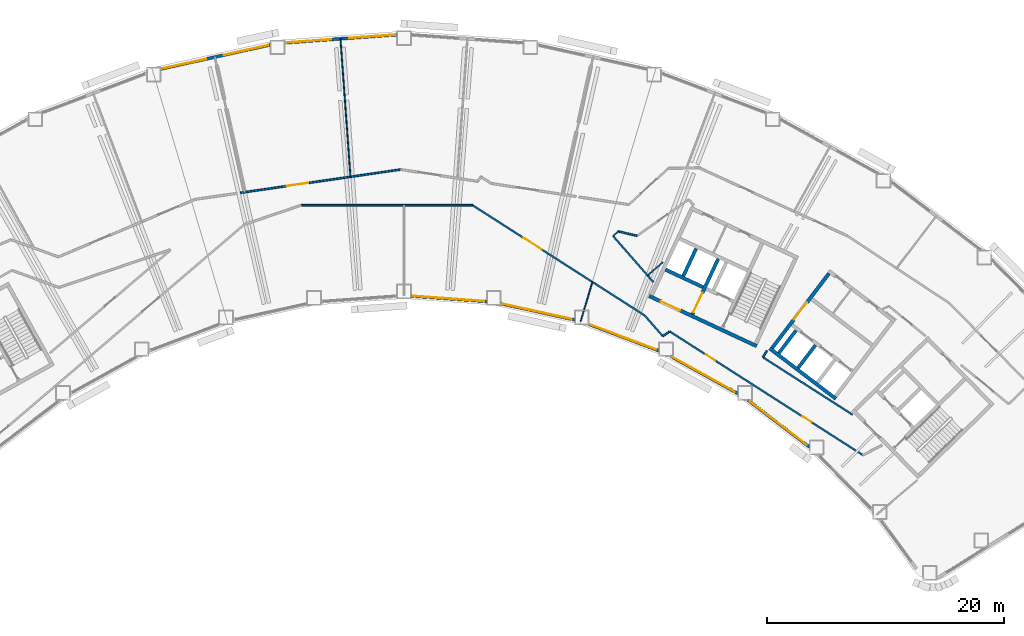
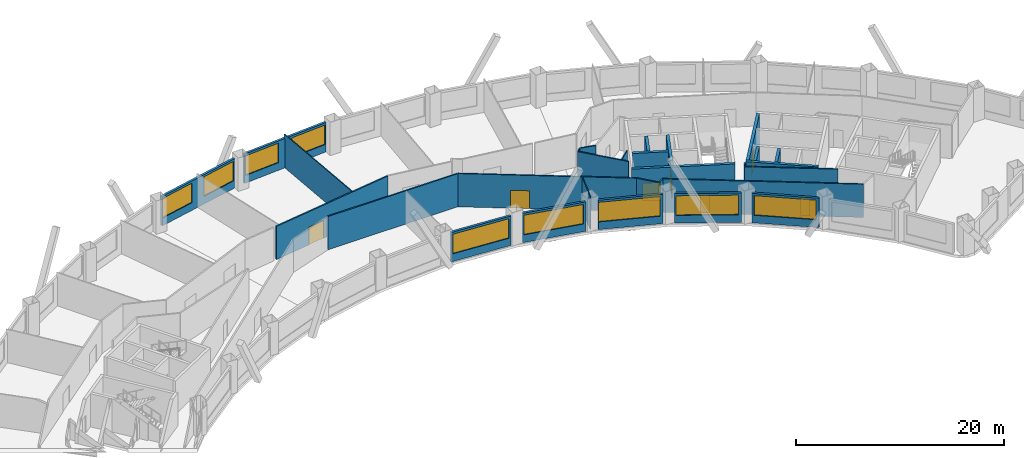
# One storey, part 5 of 11: 29 walls, 9 windows, 7 doors, 16 openings.
"""IFC4 building model written with IfcOpenShell, lengths in metres."""

from ifc_helpers import new_model, si_unit, direction, frame, frame_2d, origin, place, context, subcontext, project, spatial, rectangle, extrude, material, layer, layer_set, type_object, element, fill, save


model = new_model("IFC4")

# Units and contexts
model_context = context("Model", 3, precision=1e-05, world=origin(), true_north=direction((0.0, 1.0)))
body_context = subcontext(model_context, "Body", "Model", "MODEL_VIEW")
ifc_project = project(units=[si_unit("LENGTHUNIT", "METRE"), si_unit("AREAUNIT", "SQUARE_METRE"), si_unit("VOLUMEUNIT", "CUBIC_METRE"), si_unit("PLANEANGLEUNIT", "RADIAN"), si_unit("MASSUNIT", "GRAM", prefix="KILO")], contexts=[model_context])

# Site, building, storey
site_placement = place(None, origin())
site = spatial("IfcSite", under=ifc_project, at=site_placement, CompositionType="ELEMENT")
building_placement = place(site_placement, origin())
building = spatial("IfcBuilding", under=site, at=building_placement, Name="Tuul Gate Civic Tower", CompositionType="ELEMENT")
storey_placement = place(building_placement, frame((0.0, 0.0, 65.39990234375)))
storey = spatial("IfcBuildingStorey", under=building, at=storey_placement, Name="Level 14", CompositionType="ELEMENT", Elevation=65.39990234375)

# Wall, opening, door
ifc_material_1 = material(Name="Concrete C50/60", Category="concrete")
ifc_layer_1 = layer(ifc_material_1, 0.300048828125)
ifc_layer_set_1 = layer_set([ifc_layer_1], Name="Concrete C50/60")
wall_type_1 = type_object("IfcWallType", Name="Core wall C50/60", PredefinedType="SHEAR", material=ifc_layer_set_1)
wall_1_placement = place(storey_placement, frame((34.5283203125, -7.25, 0.0), z_axis=(0.0, 0.0, 1.0), x_axis=(-0.906310338845, 0.422612789327, 0.0)))
wall_1 = element("IfcWall", 1, at=wall_1_placement, inside=storey, type_object=wall_type_1, Name="Core wall", PredefinedType="SHEAR", context=body_context, shape_type="SweptSolid", body=[
    extrude(rectangle(XDim=9.999755859375, YDim=0.300048828125, at=frame_2d((5.0, 0.0))), origin(), (0.0, 0.0, 1.0), 3.900146484375),
])
opening_1_placement = place(wall_1_placement, frame((7.125, 0.0, 0.0)))
opening_1 = element("IfcOpeningElement", 2, at=opening_1_placement, cuts=wall_1, Name="Opening LB-E3-LOBBY-1", PredefinedType="OPENING", context=body_context, shape_type="SweptSolid", body=[
    extrude(rectangle(XDim=1.800048828125, YDim=2.10009765625, at=frame_2d((0.89990234375, 1.050048828125))), frame((0.0, 0.16015625, 0.0), z_axis=(0.0, -1.0, 0.0), x_axis=(1.0, 0.0, 0.0)), (0.0, 0.0, 1.0), 0.320068359375),
])
ifc_material_2 = material(Name="Steel", Category="steel")
door_type_1 = type_object("IfcDoorType", Name="Lobby door", OperationType="DOUBLE_DOOR_SINGLE_SWING", PredefinedType="DOOR", material=ifc_material_2)
door_1_placement = place(opening_1_placement, origin())
door_1 = element("IfcDoor", 3, at=door_1_placement, inside=storey, type_object=door_type_1, Name="Lobby door E3-LOBBY", OperationType="DOUBLE_DOOR_SINGLE_SWING", OverallHeight=2.10009765625, OverallWidth=1.800048828125, PredefinedType="DOOR", context=body_context, shape_type="SweptSolid", body=[
    extrude(rectangle(XDim=1.800048828125, YDim=2.10009765625, at=frame_2d((0.89990234375, 1.050048828125))), frame((0.0, 0.02490234375, 0.0), z_axis=(0.0, -1.0, 0.0), x_axis=(1.0, 0.0, 0.0)), (0.0, 0.0, 1.0), 0.050048828125),
])
fill(opening_1, door_1)

# Wall
wall_2_placement = place(storey_placement, frame((30.0078125, -2.2734375, 0.0), z_axis=(0.0, 0.0, 1.0), x_axis=(-0.90630071767, 0.422633421716, 0.0)))
element("IfcWall", 4, at=wall_2_placement, inside=storey, type_object=wall_type_1, Name="Core wall", PredefinedType="SHEAR", context=body_context, shape_type="SweptSolid", body=[
    extrude(rectangle(XDim=3.5, YDim=0.300048828125, at=frame_2d((1.75, 0.0))), origin(), (0.0, 0.0, 1.0), 3.900146484375),
])

# Wall, opening, door
wall_3_placement = place(storey_placement, frame((29.108642578125, -4.557373046875, 0.0), z_axis=(0.0, 0.0, 1.0), x_axis=(0.422566235356, 0.90633204552, 0.0)))
wall_3 = element("IfcWall", 5, at=wall_3_placement, inside=storey, type_object=wall_type_1, Name="Core wall", PredefinedType="SHEAR", context=body_context, shape_type="SweptSolid", body=[
    extrude(rectangle(XDim=5.150146484375, YDim=0.300048828125, at=frame_2d((2.5751953125, 0.0))), origin(), (0.0, 0.0, 1.0), 3.900146484375),
])
opening_2_placement = place(wall_3_placement, frame((0.175048828125, 0.0, 0.0)))
opening_2 = element("IfcOpeningElement", 6, at=opening_2_placement, cuts=wall_3, Name="Opening LB-E3-FLOBBY-1", PredefinedType="OPENING", context=body_context, shape_type="SweptSolid", body=[
    extrude(rectangle(XDim=1.800048828125, YDim=2.10009765625, at=frame_2d((0.89990234375, 1.050048828125))), frame((0.0, 0.16015625, 0.0), z_axis=(0.0, -1.0, 0.0), x_axis=(1.0, 0.0, 0.0)), (0.0, 0.0, 1.0), 0.320068359375),
])
door_2_placement = place(opening_2_placement, frame((1.800048828125, 0.0, 0.0), z_axis=(0.0, 0.0, 1.0), x_axis=(-1.0, 0.0, 0.0)))
door_2 = element("IfcDoor", 7, at=door_2_placement, inside=storey, type_object=door_type_1, Name="Lobby door E3-FLOBBY", OperationType="DOUBLE_DOOR_SINGLE_SWING", OverallHeight=2.10009765625, OverallWidth=1.800048828125, PredefinedType="DOOR", context=body_context, shape_type="SweptSolid", body=[
    extrude(rectangle(XDim=1.800048828125, YDim=2.10009765625, at=frame_2d((0.900146484375, 1.050048828125))), frame((0.0, 0.02490234375, 0.0), z_axis=(0.0, -1.0, 0.0), x_axis=(1.0, 0.0, 0.0)), (0.0, 0.0, 1.0), 0.050048828125),
])
fill(opening_2, door_2)

# Walls
wall_4_placement = place(storey_placement, frame((28.349365234375, -1.33447265625, 0.0), z_axis=(0.0, 0.0, 1.0), x_axis=(0.422612891016, 0.906310291427, 0.0)))
element("IfcWall", 8, at=wall_4_placement, inside=storey, type_object=wall_type_1, Name="Core wall", PredefinedType="SHEAR", context=body_context, shape_type="SweptSolid", body=[
    extrude(rectangle(XDim=2.550048828125, YDim=0.300048828125, at=frame_2d((1.27490234375, 0.0))), origin(), (0.0, 0.0, 1.0), 3.900146484375),
])
ifc_material_3 = material(Name="Gypsum board partition")
ifc_layer_2 = layer(ifc_material_3, 0.14990234375)
ifc_layer_set_2 = layer_set([ifc_layer_2], Name="Gypsum board partition")
wall_type_2 = type_object("IfcWallType", Name="Corridor wall P150", PredefinedType="PARTITIONING", material=ifc_layer_set_2)
wall_5_placement = place(storey_placement, frame((22.4287109375, 2.0283203125, 0.0), z_axis=(0.0, 0.0, 1.0), x_axis=(0.658047321648, -0.752976574982, 0.0)))
element("IfcWall", 9, at=wall_5_placement, inside=storey, type_object=wall_type_2, Name="p018", PredefinedType="PARTITIONING", context=body_context, shape_type="SweptSolid", body=[
    extrude(rectangle(XDim=5.1796875, YDim=0.14990234375, at=frame_2d((2.58984375, 0.0))), origin(), (0.0, 0.0, 1.0), 3.900146484375),
])
wall_6_placement = place(storey_placement, frame((35.044677734375, -8.18408203125, 0.0), z_axis=(0.0, 0.0, 1.0), x_axis=(0.842201765937, -0.539162485206, 0.0)))
element("IfcWall", 10, at=wall_6_placement, inside=storey, type_object=wall_type_2, Name="p021", PredefinedType="PARTITIONING", context=body_context, shape_type="SweptSolid", body=[
    extrude(rectangle(XDim=8.978759765625, YDim=0.14990234375, at=frame_2d((4.4892578125, 0.0))), origin(), (0.0, 0.0, 1.0), 3.900146484375),
])

# Wall, opening, door
wall_7_placement = place(storey_placement, frame((-8.962890625, 5.6708984375, 0.0), z_axis=(0.0, 0.0, 1.0), x_axis=(0.989601127231, 0.143838829883, 0.0)))
wall_7 = element("IfcWall", 11, at=wall_7_placement, inside=storey, type_object=wall_type_2, Name="p025", PredefinedType="PARTITIONING", context=body_context, shape_type="SweptSolid", body=[
    extrude(rectangle(XDim=13.641357421875, YDim=0.14990234375, at=frame_2d((6.82080078125, 0.0))), origin(), (0.0, 0.0, 1.0), 3.900146484375),
])
opening_3_placement = place(wall_7_placement, frame((3.95654296875, 0.0, 0.0)))
opening_3 = element("IfcOpeningElement", 12, at=opening_3_placement, cuts=wall_7, Name="Opening D-D07", PredefinedType="OPENING", context=body_context, shape_type="SweptSolid", body=[
    extrude(rectangle(XDim=1.800048828125, YDim=2.10009765625, at=frame_2d((0.89990234375, 1.050048828125))), frame((0.0, 0.0849609375, 0.0), z_axis=(0.0, -1.0, 0.0), x_axis=(1.0, 0.0, 0.0)), (0.0, 0.0, 1.0), 0.169921875),
])
ifc_material_4 = material(Name="Timber door leaf, double", Category="wood")
door_type_2 = type_object("IfcDoorType", Name="Door D18", OperationType="DOUBLE_DOOR_SINGLE_SWING", PredefinedType="DOOR", material=ifc_material_4)
door_3_placement = place(opening_3_placement, origin())
door_3 = element("IfcDoor", 13, at=door_3_placement, inside=storey, type_object=door_type_2, Name="Door D-D07", OperationType="DOUBLE_DOOR_SINGLE_SWING", OverallHeight=2.10009765625, OverallWidth=1.800048828125, PredefinedType="DOOR", context=body_context, shape_type="SweptSolid", body=[
    extrude(rectangle(XDim=1.800048828125, YDim=2.10009765625, at=frame_2d((0.89990234375, 1.050048828125))), frame((0.0, 0.02490234375, 0.0), z_axis=(0.0, -1.0, 0.0), x_axis=(1.0, 0.0, 0.0)), (0.0, 0.0, 1.0), 0.050048828125),
])
fill(opening_3, door_3)

wall_8_placement = place(storey_placement, frame((10.5986328125, 4.61572265625, 0.0), z_axis=(0.0, 0.0, 1.0), x_axis=(0.842209770604, -0.539149981266, 0.0)))
wall_8 = element("IfcWall", 14, at=wall_8_placement, inside=storey, type_object=wall_type_2, Name="p039", PredefinedType="PARTITIONING", context=body_context, shape_type="SweptSolid", body=[
    extrude(rectangle(XDim=17.196044921875, YDim=0.14990234375, at=frame_2d((8.59814453125, 0.0))), origin(), (0.0, 0.0, 1.0), 3.900146484375),
])
opening_4_placement = place(wall_8_placement, frame((5.08740234375, 0.0, 0.0)))
opening_4 = element("IfcOpeningElement", 15, at=opening_4_placement, cuts=wall_8, Name="Opening D-D15", PredefinedType="OPENING", context=body_context, shape_type="SweptSolid", body=[
    extrude(rectangle(XDim=1.800048828125, YDim=2.10009765625, at=frame_2d((0.89990234375, 1.050048828125))), frame((0.0, 0.0849609375, 0.0), z_axis=(0.0, -1.0, 0.0), x_axis=(1.0, 0.0, 0.0)), (0.0, 0.0, 1.0), 0.169921875),
])
door_4_placement = place(opening_4_placement, frame((1.800048828125, 0.0, 0.0), z_axis=(0.0, 0.0, 1.0), x_axis=(-1.0, 0.0, 0.0)))
door_4 = element("IfcDoor", 16, at=door_4_placement, inside=storey, type_object=door_type_2, Name="Door D-D15", OperationType="DOUBLE_DOOR_SINGLE_SWING", OverallHeight=2.10009765625, OverallWidth=1.800048828125, PredefinedType="DOOR", context=body_context, shape_type="SweptSolid", body=[
    extrude(rectangle(XDim=1.800048828125, YDim=2.10009765625, at=frame_2d((0.900146484375, 1.050048828125))), frame((0.0, 0.02490234375, 0.0), z_axis=(0.0, -1.0, 0.0), x_axis=(1.0, 0.0, 0.0)), (0.0, 0.0, 1.0), 0.050048828125),
])
fill(opening_4, door_4)

# Wall, openings, doors
wall_9_placement = place(storey_placement, frame((27.20166015625, -6.012939453125, 0.0), z_axis=(0.0, 0.0, 1.0), x_axis=(0.84221334931, -0.539144390905, 0.0)))
wall_9 = element("IfcWall", 17, at=wall_9_placement, inside=storey, type_object=wall_type_2, Name="p040", PredefinedType="PARTITIONING", context=body_context, shape_type="SweptSolid", body=[
    extrude(rectangle(XDim=19.325439453125, YDim=0.14990234375, at=frame_2d((9.66259765625, 0.0))), origin(), (0.0, 0.0, 1.0), 3.900146484375),
])
opening_5_placement = place(wall_9_placement, frame((13.281494140625, 0.0, 0.0)))
opening_5 = element("IfcOpeningElement", 18, at=opening_5_placement, cuts=wall_9, Name="Opening D-D13", PredefinedType="OPENING", context=body_context, shape_type="SweptSolid", body=[
    extrude(rectangle(XDim=0.89990234375, YDim=2.10009765625, at=frame_2d((0.449951171875, 1.050048828125))), frame((0.0, 0.0849609375, 0.0), z_axis=(0.0, -1.0, 0.0), x_axis=(1.0, 0.0, 0.0)), (0.0, 0.0, 1.0), 0.169921875),
])
opening_6_placement = place(wall_9_placement, frame((3.618896484375, 0.0, 0.0)))
opening_6 = element("IfcOpeningElement", 19, at=opening_6_placement, cuts=wall_9, Name="Opening D-D14", PredefinedType="OPENING", context=body_context, shape_type="SweptSolid", body=[
    extrude(rectangle(XDim=0.89990234375, YDim=2.10009765625, at=frame_2d((0.449951171875, 1.050048828125))), frame((0.0, 0.0849609375, 0.0), z_axis=(0.0, -1.0, 0.0), x_axis=(1.0, 0.0, 0.0)), (0.0, 0.0, 1.0), 0.169921875),
])
ifc_material_5 = material(Name="Timber door leaf", Category="wood")
door_type_3 = type_object("IfcDoorType", Name="Door D09", OperationType="NOTDEFINED", PredefinedType="DOOR", material=ifc_material_5)
door_5_placement = place(opening_5_placement, frame((0.89990234375, 0.0, 0.0), z_axis=(0.0, 0.0, 1.0), x_axis=(-1.0, 0.0, 0.0)))
door_5 = element("IfcDoor", 20, at=door_5_placement, inside=storey, type_object=door_type_3, Name="Door D-D13", OperationType="SINGLE_SWING_LEFT", OverallHeight=2.10009765625, OverallWidth=0.89990234375, PredefinedType="DOOR", context=body_context, shape_type="SweptSolid", body=[
    extrude(rectangle(XDim=0.89990234375, YDim=2.10009765625, at=frame_2d((0.449951171875, 1.050048828125))), frame((0.0, 0.02490234375, 0.0), z_axis=(0.0, -1.0, 0.0), x_axis=(1.0, 0.0, 0.0)), (0.0, 0.0, 1.0), 0.050048828125),
])
fill(opening_5, door_5)
door_6_placement = place(opening_6_placement, frame((0.89990234375, 0.0, 0.0), z_axis=(0.0, 0.0, 1.0), x_axis=(-1.0, 0.0, 0.0)))
door_6 = element("IfcDoor", 21, at=door_6_placement, inside=storey, type_object=door_type_3, Name="Door D-D14", OperationType="SINGLE_SWING_LEFT", OverallHeight=2.10009765625, OverallWidth=0.89990234375, PredefinedType="DOOR", context=body_context, shape_type="SweptSolid", body=[
    extrude(rectangle(XDim=0.89990234375, YDim=2.10009765625, at=frame_2d((0.449951171875, 1.050048828125))), frame((0.0, 0.02490234375, 0.0), z_axis=(0.0, -1.0, 0.0), x_axis=(1.0, 0.0, 0.0)), (0.0, 0.0, 1.0), 0.050048828125),
])
fill(opening_6, door_6)

# Walls
wall_10_placement = place(storey_placement, frame((25.085693359375, -4.6591796875, 0.0), z_axis=(0.0, 0.0, 1.0), x_axis=(0.658004838022, -0.753013700499, 0.0)))
element("IfcWall", 22, at=wall_10_placement, inside=storey, type_object=wall_type_2, Name="p043", PredefinedType="PARTITIONING", context=body_context, shape_type="SweptSolid", body=[
    extrude(rectangle(XDim=2.31787109375, YDim=0.14990234375, at=frame_2d((1.158935546875, 0.0))), origin(), (0.0, 0.0, 1.0), 3.900146484375),
])
wall_11_placement = place(storey_placement, frame((26.611572265625, -6.40478515625, 0.0), z_axis=(0.0, 0.0, 1.0), x_axis=(0.823349615955, 0.567534501071, 0.0)))
element("IfcWall", 23, at=wall_11_placement, inside=storey, type_object=wall_type_2, Name="p044", PredefinedType="PARTITIONING", context=body_context, shape_type="SweptSolid", body=[
    extrude(rectangle(XDim=0.68994140625, YDim=0.14990234375, at=frame_2d((0.344970703125, 0.0))), origin(), (0.0, 0.0, 1.0), 3.900146484375),
])
wall_12_placement = place(storey_placement, frame((-3.85595703125, 4.618896484375, 0.0), z_axis=(0.0, 0.0, 1.0), x_axis=(1.0, 0.0, 0.0)))
element("IfcWall", 24, at=wall_12_placement, inside=storey, type_object=wall_type_2, Name="p046", PredefinedType="PARTITIONING", context=body_context, shape_type="SweptSolid", body=[
    extrude(rectangle(XDim=14.44384765625, YDim=0.14990234375, at=frame_2d((7.221923828125, 0.0))), origin(), (0.0, 0.0, 1.0), 3.900146484375),
])
wall_13_placement = place(storey_placement, frame((22.87255859375, 2.416015625, 0.0), z_axis=(0.0, 0.0, 1.0), x_axis=(0.973662476825, -0.227994256996, 0.0)))
element("IfcWall", 25, at=wall_13_placement, inside=storey, type_object=wall_type_2, Name="p056", PredefinedType="PARTITIONING", context=body_context, shape_type="SweptSolid", body=[
    extrude(rectangle(XDim=1.61474609375, YDim=0.14990234375, at=frame_2d((0.807373046875, 0.0))), origin(), (0.0, 0.0, 1.0), 3.900146484375),
])
wall_14_placement = place(storey_placement, frame((35.044677734375, -8.18408203125, 0.0), z_axis=(0.0, 0.0, 1.0), x_axis=(0.540776664219, 0.841166213918, 0.0)))
element("IfcWall", 26, at=wall_14_placement, inside=storey, type_object=wall_type_2, Name="p060", PredefinedType="PARTITIONING", context=body_context, shape_type="SweptSolid", body=[
    extrude(rectangle(XDim=0.64697265625, YDim=0.14990234375, at=frame_2d((0.323486328125, 0.0))), origin(), (0.0, 0.0, 1.0), 3.900146484375),
])

# Wall, openings, windows
ifc_material_6 = material(Name="Precast concrete C40/50", Category="concrete")
ifc_layer_3 = layer(ifc_material_6, 0.25)
ifc_layer_set_3 = layer_set([ifc_layer_3], Name="Precast concrete C40/50")
wall_type_3 = type_object("IfcWallType", Name="External wall", PredefinedType="STANDARD", material=ifc_layer_set_3)
wall_15_placement = place(storey_placement, frame((4.2080078125, 18.9892578125, 0.0), z_axis=(0.0, 0.0, 1.0), x_axis=(-0.997387702814, -0.072234135106, 0.0)))
wall_15 = element("IfcWall", 27, at=wall_15_placement, inside=storey, type_object=wall_type_3, Name="External wall", PredefinedType="STANDARD", context=body_context, shape_type="SweptSolid", body=[
    extrude(rectangle(XDim=9.4736328125, YDim=0.25, at=frame_2d((4.73681640625, 0.0))), origin(), (0.0, 0.0, 1.0), 3.4501953125),
])
opening_7_placement = place(wall_15_placement, frame((0.14990234375, 0.0, 0.89990234375)))
opening_7 = element("IfcOpeningElement", 28, at=opening_7_placement, cuts=wall_15, Name="Opening W22", PredefinedType="OPENING", context=body_context, shape_type="SweptSolid", body=[
    extrude(rectangle(XDim=3.85009765625, YDim=2.300048828125, at=frame_2d((1.925048828125, 1.14990234375))), frame((0.0, 0.135009765625, 0.0), z_axis=(0.0, -1.0, 0.0), x_axis=(1.0, 0.0, 0.0)), (0.0, 0.0, 1.0), 0.27001953125),
])
opening_8_placement = place(wall_15_placement, frame((5.52099609375, 0.0, 0.89990234375)))
opening_8 = element("IfcOpeningElement", 29, at=opening_8_placement, cuts=wall_15, Name="Opening W22", PredefinedType="OPENING", context=body_context, shape_type="SweptSolid", body=[
    extrude(rectangle(XDim=3.85009765625, YDim=2.300048828125, at=frame_2d((1.925048828125, 1.14990234375))), frame((0.0, 0.135009765625, 0.0), z_axis=(0.0, -1.0, 0.0), x_axis=(1.0, 0.0, 0.0)), (0.0, 0.0, 1.0), 0.27001953125),
])
ifc_material_7 = material(Name="Glass", Category="glass")
window_type_1 = type_object("IfcWindowType", Name="Window W22 3850 x 2300", PartitioningType="SINGLE_PANEL", PredefinedType="WINDOW", material=ifc_material_7)
window_1_placement = place(opening_7_placement, origin())
window_1 = element("IfcWindow", 30, at=window_1_placement, inside=storey, type_object=window_type_1, Name="Window", OverallHeight=2.300048828125, OverallWidth=3.85009765625, PartitioningType="SINGLE_PANEL", PredefinedType="WINDOW", context=body_context, shape_type="SweptSolid", body=[
    extrude(rectangle(XDim=3.85009765625, YDim=2.300048828125, at=frame_2d((1.925048828125, 1.14990234375))), frame((0.0, 0.030029296875, 0.0), z_axis=(0.0, -1.0, 0.0), x_axis=(1.0, 0.0, 0.0)), (0.0, 0.0, 1.0), 0.06005859375),
])
fill(opening_7, window_1)
window_2_placement = place(opening_8_placement, origin())
window_2 = element("IfcWindow", 31, at=window_2_placement, inside=storey, type_object=window_type_1, Name="Window", OverallHeight=2.300048828125, OverallWidth=3.85009765625, PartitioningType="SINGLE_PANEL", PredefinedType="WINDOW", context=body_context, shape_type="SweptSolid", body=[
    extrude(rectangle(XDim=3.85009765625, YDim=2.300048828125, at=frame_2d((1.925048828125, 1.14990234375))), frame((0.0, 0.030029296875, 0.0), z_axis=(0.0, -1.0, 0.0), x_axis=(1.0, 0.0, 0.0)), (0.0, 0.0, 1.0), 0.06005859375),
])
fill(opening_8, window_2)

wall_16_placement = place(storey_placement, frame((-6.44091796875, 18.135986328125, 0.0), z_axis=(0.0, 0.0, 1.0), x_axis=(-0.976566757171, -0.215214703934, 0.0)))
wall_16 = element("IfcWall", 32, at=wall_16_placement, inside=storey, type_object=wall_type_3, Name="External wall", PredefinedType="STANDARD", context=body_context, shape_type="SweptSolid", body=[
    extrude(rectangle(XDim=9.448486328125, YDim=0.25, at=frame_2d((4.72412109375, 0.0))), origin(), (0.0, 0.0, 1.0), 3.4501953125),
])
opening_9_placement = place(wall_16_placement, frame((0.185302734375, 0.0, 0.89990234375)))
opening_9 = element("IfcOpeningElement", 33, at=opening_9_placement, cuts=wall_16, Name="Opening W22", PredefinedType="OPENING", context=body_context, shape_type="SweptSolid", body=[
    extrude(rectangle(XDim=3.85009765625, YDim=2.300048828125, at=frame_2d((1.925048828125, 1.14990234375))), frame((0.0, 0.135009765625, 0.0), z_axis=(0.0, -1.0, 0.0), x_axis=(1.0, 0.0, 0.0)), (0.0, 0.0, 1.0), 0.27001953125),
])
opening_10_placement = place(wall_16_placement, frame((5.556640625, 0.0, 0.89990234375)))
opening_10 = element("IfcOpeningElement", 34, at=opening_10_placement, cuts=wall_16, Name="Opening W22", PredefinedType="OPENING", context=body_context, shape_type="SweptSolid", body=[
    extrude(rectangle(XDim=3.85009765625, YDim=2.300048828125, at=frame_2d((1.925048828125, 1.14990234375))), frame((0.0, 0.135009765625, 0.0), z_axis=(0.0, -1.0, 0.0), x_axis=(1.0, 0.0, 0.0)), (0.0, 0.0, 1.0), 0.27001953125),
])
window_3_placement = place(opening_9_placement, origin())
window_3 = element("IfcWindow", 35, at=window_3_placement, inside=storey, type_object=window_type_1, Name="Window", OverallHeight=2.300048828125, OverallWidth=3.85009765625, PartitioningType="SINGLE_PANEL", PredefinedType="WINDOW", context=body_context, shape_type="SweptSolid", body=[
    extrude(rectangle(XDim=3.85009765625, YDim=2.300048828125, at=frame_2d((1.925048828125, 1.14990234375))), frame((0.0, 0.030029296875, 0.0), z_axis=(0.0, -1.0, 0.0), x_axis=(1.0, 0.0, 0.0)), (0.0, 0.0, 1.0), 0.06005859375),
])
fill(opening_9, window_3)
window_4_placement = place(opening_10_placement, origin())
window_4 = element("IfcWindow", 36, at=window_4_placement, inside=storey, type_object=window_type_1, Name="Window", OverallHeight=2.300048828125, OverallWidth=3.85009765625, PartitioningType="SINGLE_PANEL", PredefinedType="WINDOW", context=body_context, shape_type="SweptSolid", body=[
    extrude(rectangle(XDim=3.85009765625, YDim=2.300048828125, at=frame_2d((1.925048828125, 1.14990234375))), frame((0.0, 0.030029296875, 0.0), z_axis=(0.0, -1.0, 0.0), x_axis=(1.0, 0.0, 0.0)), (0.0, 0.0, 1.0), 0.06005859375),
])
fill(opening_10, window_4)

# Wall, opening, window
wall_17_placement = place(storey_placement, frame((5.407958984375, -3.01806640625, 0.0), z_axis=(0.0, 0.0, 1.0), x_axis=(0.997382879348, -0.072300705277, 0.0)))
wall_17 = element("IfcWall", 37, at=wall_17_placement, inside=storey, type_object=wall_type_3, Name="External wall", PredefinedType="STANDARD", context=body_context, shape_type="SweptSolid", body=[
    extrude(rectangle(XDim=6.388671875, YDim=0.25, at=frame_2d((3.1943359375, 0.0))), origin(), (0.0, 0.0, 1.0), 3.4501953125),
])
opening_11_placement = place(wall_17_placement, frame((0.1708984375, 0.0, 0.89990234375)))
opening_11 = element("IfcOpeningElement", 38, at=opening_11_placement, cuts=wall_17, Name="Opening W26", PredefinedType="OPENING", context=body_context, shape_type="SweptSolid", body=[
    extrude(rectangle(XDim=6.0, YDim=2.300048828125, at=frame_2d((3.0, 1.14990234375))), frame((0.0, 0.135009765625, 0.0), z_axis=(0.0, -1.0, 0.0), x_axis=(1.0, 0.0, 0.0)), (0.0, 0.0, 1.0), 0.27001953125),
])
ifc_material_8 = material(Name="Glass", Category="glass")
window_type_2 = type_object("IfcWindowType", Name="Window W26 6000 x 2300", PartitioningType="SINGLE_PANEL", PredefinedType="WINDOW", material=ifc_material_8)
window_5_placement = place(opening_11_placement, origin())
window_5 = element("IfcWindow", 39, at=window_5_placement, inside=storey, type_object=window_type_2, Name="Window", OverallHeight=2.300048828125, OverallWidth=6.0, PartitioningType="SINGLE_PANEL", PredefinedType="WINDOW", context=body_context, shape_type="SweptSolid", body=[
    extrude(rectangle(XDim=6.0, YDim=2.300048828125, at=frame_2d((3.0, 1.14990234375))), frame((0.0, 0.030029296875, 0.0), z_axis=(0.0, -1.0, 0.0), x_axis=(1.0, 0.0, 0.0)), (0.0, 0.0, 1.0), 0.06005859375),
])
fill(opening_11, window_5)

wall_18_placement = place(storey_placement, frame((12.97998046875, -3.66259765625, 0.0), z_axis=(0.0, 0.0, 1.0), x_axis=(0.97656114485, -0.215240169041, 0.0)))
wall_18 = element("IfcWall", 40, at=wall_18_placement, inside=storey, type_object=wall_type_3, Name="External wall", PredefinedType="STANDARD", context=body_context, shape_type="SweptSolid", body=[
    extrude(rectangle(XDim=6.36328125, YDim=0.25, at=frame_2d((3.181640625, 0.0))), origin(), (0.0, 0.0, 1.0), 3.4501953125),
])
opening_12_placement = place(wall_18_placement, frame((0.10986328125, 0.0, 0.89990234375)))
opening_12 = element("IfcOpeningElement", 41, at=opening_12_placement, cuts=wall_18, Name="Opening W26", PredefinedType="OPENING", context=body_context, shape_type="SweptSolid", body=[
    extrude(rectangle(XDim=6.0, YDim=2.300048828125, at=frame_2d((3.0, 1.14990234375))), frame((0.0, 0.135009765625, 0.0), z_axis=(0.0, -1.0, 0.0), x_axis=(1.0, 0.0, 0.0)), (0.0, 0.0, 1.0), 0.27001953125),
])
window_6_placement = place(opening_12_placement, origin())
window_6 = element("IfcWindow", 42, at=window_6_placement, inside=storey, type_object=window_type_2, Name="Window", OverallHeight=2.300048828125, OverallWidth=6.0, PartitioningType="SINGLE_PANEL", PredefinedType="WINDOW", context=body_context, shape_type="SweptSolid", body=[
    extrude(rectangle(XDim=6.0, YDim=2.300048828125, at=frame_2d((3.0, 1.14990234375))), frame((0.0, 0.030029296875, 0.0), z_axis=(0.0, -1.0, 0.0), x_axis=(1.0, 0.0, 0.0)), (0.0, 0.0, 1.0), 0.06005859375),
])
fill(opening_12, window_6)

wall_19_placement = place(storey_placement, frame((20.39404296875, -5.406005859375, 0.0), z_axis=(0.0, 0.0, 1.0), x_axis=(0.935355477431, -0.353709104829, 0.0)))
wall_19 = element("IfcWall", 43, at=wall_19_placement, inside=storey, type_object=wall_type_3, Name="External wall", PredefinedType="STANDARD", context=body_context, shape_type="SweptSolid", body=[
    extrude(rectangle(XDim=6.30859375, YDim=0.25, at=frame_2d((3.154296875, 0.0))), origin(), (0.0, 0.0, 1.0), 3.4501953125),
])
opening_13_placement = place(wall_19_placement, frame((0.03125, 0.0, 0.89990234375)))
opening_13 = element("IfcOpeningElement", 44, at=opening_13_placement, cuts=wall_19, Name="Opening W26", PredefinedType="OPENING", context=body_context, shape_type="SweptSolid", body=[
    extrude(rectangle(XDim=6.0, YDim=2.300048828125, at=frame_2d((3.0, 1.14990234375))), frame((0.0, 0.135009765625, 0.0), z_axis=(0.0, -1.0, 0.0), x_axis=(1.0, 0.0, 0.0)), (0.0, 0.0, 1.0), 0.27001953125),
])
window_7_placement = place(opening_13_placement, origin())
window_7 = element("IfcWindow", 45, at=window_7_placement, inside=storey, type_object=window_type_2, Name="Window", OverallHeight=2.300048828125, OverallWidth=6.0, PartitioningType="SINGLE_PANEL", PredefinedType="WINDOW", context=body_context, shape_type="SweptSolid", body=[
    extrude(rectangle(XDim=6.0, YDim=2.300048828125, at=frame_2d((3.0, 1.14990234375))), frame((0.0, 0.030029296875, 0.0), z_axis=(0.0, -1.0, 0.0), x_axis=(1.0, 0.0, 0.0)), (0.0, 0.0, 1.0), 0.06005859375),
])
fill(opening_13, window_7)

wall_20_placement = place(storey_placement, frame((27.307373046875, -8.116943359375, 0.0), z_axis=(0.0, 0.0, 1.0), x_axis=(0.874625787744, -0.484798650384, 0.0)))
wall_20 = element("IfcWall", 46, at=wall_20_placement, inside=storey, type_object=wall_type_3, Name="External wall", PredefinedType="STANDARD", context=body_context, shape_type="SweptSolid", body=[
    extrude(rectangle(XDim=6.434326171875, YDim=0.25, at=frame_2d((3.21728515625, 0.0))), origin(), (0.0, 0.0, 1.0), 3.4501953125),
])
opening_14_placement = place(wall_20_placement, frame((0.143798828125, 0.0, 0.89990234375)))
opening_14 = element("IfcOpeningElement", 47, at=opening_14_placement, cuts=wall_20, Name="Opening W26", PredefinedType="OPENING", context=body_context, shape_type="SweptSolid", body=[
    extrude(rectangle(XDim=6.0, YDim=2.300048828125, at=frame_2d((3.0, 1.14990234375))), frame((0.0, 0.135009765625, 0.0), z_axis=(0.0, -1.0, 0.0), x_axis=(1.0, 0.0, 0.0)), (0.0, 0.0, 1.0), 0.27001953125),
])
window_8_placement = place(opening_14_placement, origin())
window_8 = element("IfcWindow", 48, at=window_8_placement, inside=storey, type_object=window_type_2, Name="Window", OverallHeight=2.300048828125, OverallWidth=6.0, PartitioningType="SINGLE_PANEL", PredefinedType="WINDOW", context=body_context, shape_type="SweptSolid", body=[
    extrude(rectangle(XDim=6.0, YDim=2.300048828125, at=frame_2d((3.0, 1.14990234375))), frame((0.0, 0.030029296875, 0.0), z_axis=(0.0, -1.0, 0.0), x_axis=(1.0, 0.0, 0.0)), (0.0, 0.0, 1.0), 0.06005859375),
])
fill(opening_14, window_8)

wall_21_placement = place(storey_placement, frame((33.785888671875, -11.797119140625, 0.0), z_axis=(0.0, 0.0, 1.0), x_axis=(0.795581202254, -0.605846969639, 0.0)))
wall_21 = element("IfcWall", 49, at=wall_21_placement, inside=storey, type_object=wall_type_3, Name="External wall", PredefinedType="STANDARD", context=body_context, shape_type="SweptSolid", body=[
    extrude(rectangle(XDim=6.5224609375, YDim=0.25, at=frame_2d((3.26123046875, 0.0))), origin(), (0.0, 0.0, 1.0), 3.4501953125),
])
opening_15_placement = place(wall_21_placement, frame((0.232666015625, 0.0, 0.89990234375)))
opening_15 = element("IfcOpeningElement", 50, at=opening_15_placement, cuts=wall_21, Name="Opening W26", PredefinedType="OPENING", context=body_context, shape_type="SweptSolid", body=[
    extrude(rectangle(XDim=6.0, YDim=2.300048828125, at=frame_2d((3.0, 1.14990234375))), frame((0.0, 0.135009765625, 0.0), z_axis=(0.0, -1.0, 0.0), x_axis=(1.0, 0.0, 0.0)), (0.0, 0.0, 1.0), 0.27001953125),
])
window_9_placement = place(opening_15_placement, origin())
window_9 = element("IfcWindow", 51, at=window_9_placement, inside=storey, type_object=window_type_2, Name="Window", OverallHeight=2.300048828125, OverallWidth=6.0, PartitioningType="SINGLE_PANEL", PredefinedType="WINDOW", context=body_context, shape_type="SweptSolid", body=[
    extrude(rectangle(XDim=6.0, YDim=2.300048828125, at=frame_2d((3.0, 1.14990234375))), frame((0.0, 0.030029296875, 0.0), z_axis=(0.0, -1.0, 0.0), x_axis=(1.0, 0.0, 0.0)), (0.0, 0.0, 1.0), 0.06005859375),
])
fill(opening_15, window_9)

# Walls
ifc_material_9 = material(Name="Concrete C40/50", Category="concrete")
ifc_layer_4 = layer(ifc_material_9, 0.300048828125)
ifc_layer_set_4 = layer_set([ifc_layer_4], Name="Concrete C40/50")
wall_type_4 = type_object("IfcWallType", Name="Lift shaft wall C40/50", PredefinedType="STANDARD", material=ifc_layer_set_4)
wall_22_placement = place(storey_placement, frame((41.19189453125, -11.677734375, 0.0), z_axis=(0.0, 0.0, 1.0), x_axis=(-0.795563000331, 0.605870871147, 0.0)))
element("IfcWall", 52, at=wall_22_placement, inside=storey, type_object=wall_type_4, Name="Shaft wall", PredefinedType="STANDARD", context=body_context, shape_type="SweptSolid", body=[
    extrude(rectangle(XDim=7.000244140625, YDim=0.300048828125, at=frame_2d((3.5, 0.0))), origin(), (0.0, 0.0, 1.0), 3.900146484375),
])
wall_23_placement = place(storey_placement, frame((38.02099609375, -9.07421875, 0.0), z_axis=(0.0, 0.0, 1.0), x_axis=(0.605730519254, 0.795669867498, 0.0)))
element("IfcWall", 53, at=wall_23_placement, inside=storey, type_object=wall_type_4, Name="Shaft wall", PredefinedType="STANDARD", context=body_context, shape_type="SweptSolid", body=[
    extrude(rectangle(XDim=2.399658203125, YDim=0.300048828125, at=frame_2d((1.19970703125, 0.0))), origin(), (0.0, 0.0, 1.0), 3.900146484375),
])
wall_24_placement = place(storey_placement, frame((36.389892578125, -7.832275390625, 0.0), z_axis=(0.0, 0.0, 1.0), x_axis=(0.605745892068, 0.79565816419, 0.0)))
element("IfcWall", 54, at=wall_24_placement, inside=storey, type_object=wall_type_4, Name="Shaft wall", PredefinedType="STANDARD", context=body_context, shape_type="SweptSolid", body=[
    extrude(rectangle(XDim=2.400146484375, YDim=0.300048828125, at=frame_2d((1.2001953125, 0.0))), origin(), (0.0, 0.0, 1.0), 3.900146484375),
])

# Wall, opening, door
wall_25_placement = place(storey_placement, frame((35.8330078125, -7.408203125, 0.0), z_axis=(0.0, 0.0, 1.0), x_axis=(0.605769437763, 0.795640237967, 0.0)))
wall_25 = element("IfcWall", 55, at=wall_25_placement, inside=storey, type_object=wall_type_4, Name="Shaft wall", PredefinedType="STANDARD", context=body_context, shape_type="SweptSolid", body=[
    extrude(rectangle(XDim=7.900146484375, YDim=0.300048828125, at=frame_2d((3.9501953125, 0.0))), origin(), (0.0, 0.0, 1.0), 3.900146484375),
])
opening_16_placement = place(wall_25_placement, frame((3.02490234375, 0.0, 0.0)))
opening_16 = element("IfcOpeningElement", 56, at=opening_16_placement, cuts=wall_25, Name="Opening LB-E2-LOBBY-1", PredefinedType="OPENING", context=body_context, shape_type="SweptSolid", body=[
    extrude(rectangle(XDim=1.800048828125, YDim=2.10009765625, at=frame_2d((0.89990234375, 1.050048828125))), frame((0.0, 0.16015625, 0.0), z_axis=(0.0, -1.0, 0.0), x_axis=(1.0, 0.0, 0.0)), (0.0, 0.0, 1.0), 0.320068359375),
])
door_7_placement = place(opening_16_placement, frame((1.800048828125, 0.0, 0.0), z_axis=(0.0, 0.0, 1.0), x_axis=(-1.0, 0.0, 0.0)))
door_7 = element("IfcDoor", 57, at=door_7_placement, inside=storey, type_object=door_type_1, Name="Lobby door E2-LOBBY", OperationType="DOUBLE_DOOR_SINGLE_SWING", OverallHeight=2.10009765625, OverallWidth=1.800048828125, PredefinedType="DOOR", context=body_context, shape_type="SweptSolid", body=[
    extrude(rectangle(XDim=1.800048828125, YDim=2.10009765625, at=frame_2d((0.900146484375, 1.050048828125))), frame((0.0, 0.02490234375, 0.0), z_axis=(0.0, -1.0, 0.0), x_axis=(1.0, 0.0, 0.0)), (0.0, 0.0, 1.0), 0.050048828125),
])
fill(opening_16, door_7)

# Walls
ifc_material_10 = material(Name="Gypsum board partition")
ifc_layer_5 = layer(ifc_material_10, 0.10009765625)
ifc_layer_set_5 = layer_set([ifc_layer_5], Name="Gypsum board partition")
wall_type_5 = type_object("IfcWallType", Name="Partition P100", PredefinedType="PARTITIONING", material=ifc_layer_set_5)
wall_26_placement = place(storey_placement, frame((-0.540283203125, 18.650390625, 0.0), z_axis=(0.0, 0.0, 1.0), x_axis=(0.072237744716, -0.997387441388, 0.0)))
element("IfcWall", 58, at=wall_26_placement, inside=storey, type_object=wall_type_5, Name="p023", PredefinedType="PARTITIONING", context=body_context, shape_type="SweptSolid", body=[
    extrude(rectangle(XDim=11.663330078125, YDim=0.10009765625, at=frame_2d((5.83154296875, 0.0))), origin(), (0.0, 0.0, 1.0), 3.900146484375),
])
wall_27_placement = place(storey_placement, frame((19.69970703125, -5.148681640625, 0.0), z_axis=(0.0, 0.0, 1.0), x_axis=(0.285205633135, 0.958466351432, 0.0)))
element("IfcWall", 59, at=wall_27_placement, inside=storey, type_object=wall_type_5, Name="p042", PredefinedType="PARTITIONING", context=body_context, shape_type="SweptSolid", body=[
    extrude(rectangle(XDim=3.451416015625, YDim=0.10009765625, at=frame_2d((1.7255859375, 0.0))), origin(), (0.0, 0.0, 1.0), 3.900146484375),
])
wall_28_placement = place(storey_placement, frame((25.337158203125, -1.300048828125, 0.0), z_axis=(0.0, 0.0, 1.0), x_axis=(0.752972670008, 0.658051789924, 0.0)))
element("IfcWall", 60, at=wall_28_placement, inside=storey, type_object=wall_type_5, Name="p059", PredefinedType="PARTITIONING", context=body_context, shape_type="SweptSolid", body=[
    extrude(rectangle(XDim=1.718017578125, YDim=0.10009765625, at=frame_2d((0.85888671875, 0.0))), origin(), (0.0, 0.0, 1.0), 3.900146484375),
])
wall_29_placement = place(storey_placement, frame((22.4287109375, 2.0283203125, 0.0), z_axis=(0.0, 0.0, 1.0), x_axis=(0.753140997064, 0.657859132749, 0.0)))
element("IfcWall", 61, at=wall_29_placement, inside=storey, type_object=wall_type_5, Name="p066", PredefinedType="PARTITIONING", context=body_context, shape_type="SweptSolid", body=[
    extrude(rectangle(XDim=0.58935546875, YDim=0.10009765625, at=frame_2d((0.294677734375, 0.0))), origin(), (0.0, 0.0, 1.0), 3.900146484375),
])

save(model, "model.ifc")
